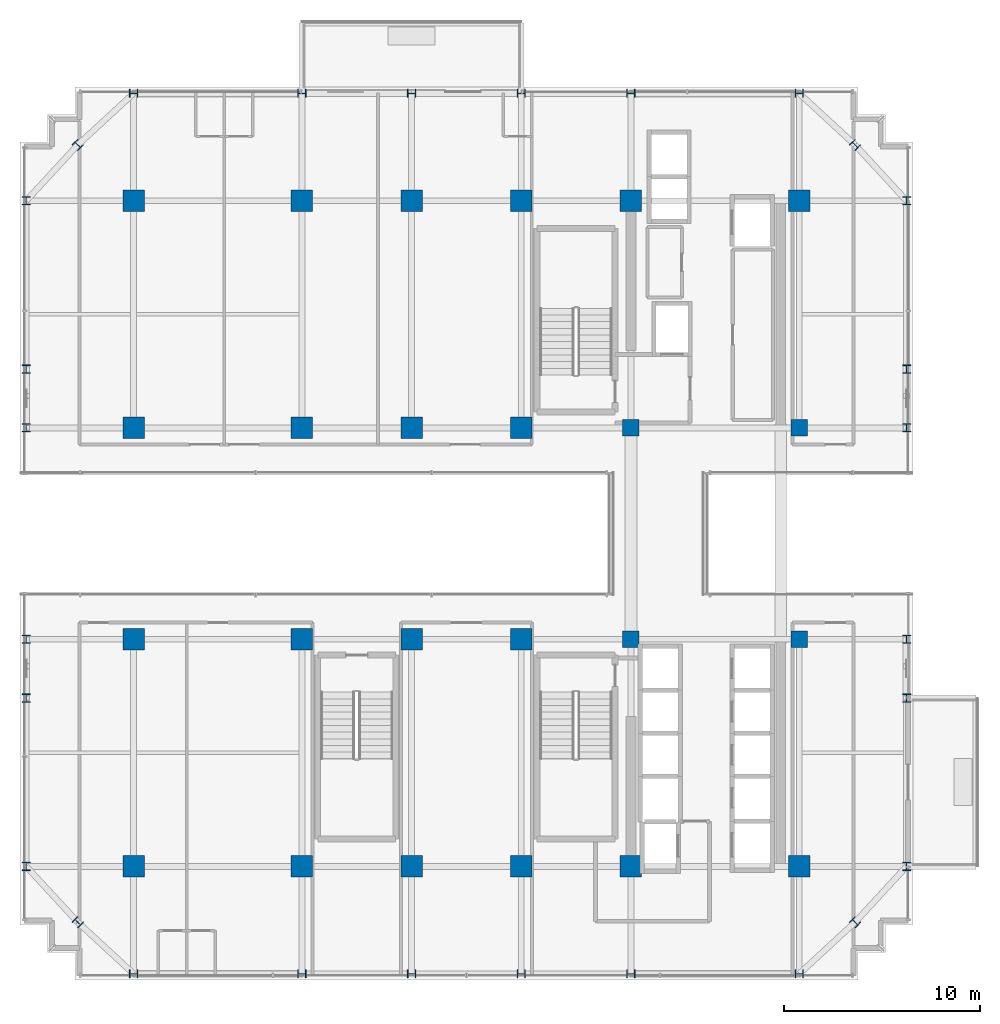
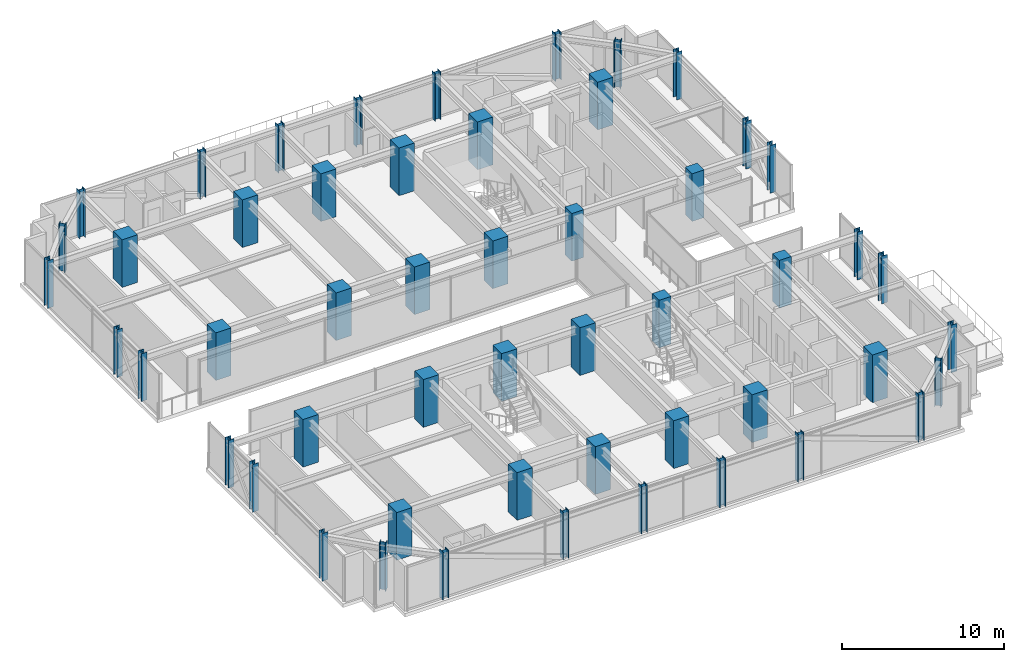
# One storey, part 1 of 41: 52 columns.
"""IFC4 building model written with IfcOpenShell, lengths in metres."""

from ifc_helpers import new_model, si_unit, direction, frame, origin, origin_2d, place, context, subcontext, project, spatial, rectangle, i_section, extrude, source, transform, mapped, material, material_profile, profile_set, type_object, element, save


model = new_model("IFC4")

# Units and contexts
model_context = context("Model", 3, precision=1e-05, world=origin(), true_north=direction((0.0, 1.0)))
body_context = subcontext(model_context, "Body", "Model", "MODEL_VIEW")
ifc_project = project(units=[si_unit("LENGTHUNIT", "METRE"), si_unit("AREAUNIT", "SQUARE_METRE"), si_unit("VOLUMEUNIT", "CUBIC_METRE"), si_unit("PLANEANGLEUNIT", "RADIAN"), si_unit("MASSUNIT", "GRAM", prefix="KILO")], contexts=[model_context])

# Site, building, storey
site_placement = place(None, origin())
site = spatial("IfcSite", under=ifc_project, at=site_placement, CompositionType="ELEMENT")
building_placement = place(site_placement, origin())
building = spatial("IfcBuilding", under=site, at=building_placement, Name="Nahalor Promenade Grand Hotel", CompositionType="ELEMENT")
storey_placement = place(building_placement, frame((0.0, 0.0, 159.949951171875)))
storey = spatial("IfcBuildingStorey", under=building, at=storey_placement, Name="L40", CompositionType="ELEMENT", Elevation=159.949951171875)

# Columns
ifc_material_1 = material(Name="Concrete B-70 (C60/75)", Category="concrete")
ifc_material_profile_1 = material_profile(ifc_material_1, rectangle(XDim=0.85, YDim=0.85, at=origin_2d()), Name="RC 850x850")
ifc_profile_set_1 = profile_set([ifc_material_profile_1], Name="Concrete B-70 (C60/75)")
column_type_1 = type_object("IfcColumnType", Name="Col-Pilaster-850", PredefinedType="PILASTER", material=ifc_profile_set_1)
shared_shape_1 = source(origin(), body_context, "Body", "SweptSolid", [
    extrude(rectangle(XDim=0.85, YDim=0.85, at=origin_2d()), origin(), (0.0, 0.0, 1.0), 3.60498046875),
])
for number, where, z_axis, x_axis, name in (
    (1, (8.39990234375, -5.39990234375, 0.0), (0.0, 0.0, 1.0), (1.0, 0.0, 0.0), "COL-L40-I41"),
    (2, (8.39990234375, 5.39990234375, 0.0), (0.0, 0.0, 1.0), (1.0, 0.0, 0.0), "COL-L40-I42"),
    (3, (17.0, -5.39990234375, 0.0), (0.0, 0.0, 1.0), (1.0, 0.0, 0.0), "COL-L40-I51"),
    (4, (17.0, 5.39990234375, 0.0), (0.0, 0.0, 1.0), (1.0, 0.0, 0.0), "COL-L40-I52"),
):
    element("IfcColumn", number, at=place(storey_placement, frame(where, z_axis=z_axis, x_axis=x_axis)), inside=storey, type_object=column_type_1, Name=name, PredefinedType="PILASTER", context=body_context, shape_type="MappedRepresentation", body=[
        mapped(shared_shape_1, transform((0.0, 0.0, 0.0), scale=1.0)),
    ])
ifc_material_2 = material(Name="Concrete B-60 (C50/60)", Category="concrete")
ifc_material_profile_2 = material_profile(ifc_material_2, rectangle(XDim=1.1, YDim=1.1, at=origin_2d()), Name="RC 1100x1100")
ifc_profile_set_2 = profile_set([ifc_material_profile_2], Name="Concrete B-60 (C50/60)")
column_type_2 = type_object("IfcColumnType", Name="Col-RC-1100", PredefinedType="COLUMN", material=ifc_profile_set_2)
shared_shape_2 = source(origin(), body_context, "Body", "SweptSolid", [
    extrude(rectangle(XDim=1.1, YDim=1.1, at=origin_2d()), origin(), (0.0, 0.0, 1.0), 3.60498046875),
])
for number, where, z_axis, x_axis, name in (
    (5, (-17.0, -17.0, 0.0), (0.0, 0.0, 1.0), (1.0, 0.0, 0.0), "COL-L40-I00"),
    (6, (-17.0, -5.39990234375, 0.0), (0.0, 0.0, 1.0), (1.0, 0.0, 0.0), "COL-L40-I01"),
    (7, (-17.0, 5.39990234375, 0.0), (0.0, 0.0, 1.0), (1.0, 0.0, 0.0), "COL-L40-I02"),
    (8, (-17.0, 17.0, 0.0), (0.0, 0.0, 1.0), (1.0, 0.0, 0.0), "COL-L40-I03"),
    (9, (-8.39990234375, -17.0, 0.0), (0.0, 0.0, 1.0), (1.0, 0.0, 0.0), "COL-L40-I10"),
    (10, (-8.39990234375, -5.39990234375, 0.0), (0.0, 0.0, 1.0), (1.0, 0.0, 0.0), "COL-L40-I11"),
    (11, (-8.39990234375, 5.39990234375, 0.0), (0.0, 0.0, 1.0), (1.0, 0.0, 0.0), "COL-L40-I12"),
    (12, (-8.39990234375, 17.0, 0.0), (0.0, 0.0, 1.0), (1.0, 0.0, 0.0), "COL-L40-I13"),
    (13, (-2.800048828125, -17.0, 0.0), (0.0, 0.0, 1.0), (1.0, 0.0, 0.0), "COL-L40-I20"),
    (14, (-2.800048828125, -5.39990234375, 0.0), (0.0, 0.0, 1.0), (1.0, 0.0, 0.0), "COL-L40-I21"),
    (15, (-2.800048828125, 5.39990234375, 0.0), (0.0, 0.0, 1.0), (1.0, 0.0, 0.0), "COL-L40-I22"),
    (16, (-2.800048828125, 17.0, 0.0), (0.0, 0.0, 1.0), (1.0, 0.0, 0.0), "COL-L40-I23"),
    (17, (2.800048828125, -17.0, 0.0), (0.0, 0.0, 1.0), (1.0, 0.0, 0.0), "COL-L40-I30"),
    (18, (2.800048828125, -5.39990234375, 0.0), (0.0, 0.0, 1.0), (1.0, 0.0, 0.0), "COL-L40-I31"),
    (19, (2.800048828125, 5.39990234375, 0.0), (0.0, 0.0, 1.0), (1.0, 0.0, 0.0), "COL-L40-I32"),
    (20, (2.800048828125, 17.0, 0.0), (0.0, 0.0, 1.0), (1.0, 0.0, 0.0), "COL-L40-I33"),
    (21, (8.39990234375, -17.0, 0.0), (0.0, 0.0, 1.0), (1.0, 0.0, 0.0), "COL-L40-I40"),
    (22, (8.39990234375, 17.0, 0.0), (0.0, 0.0, 1.0), (1.0, 0.0, 0.0), "COL-L40-I43"),
    (23, (17.0, -17.0, 0.0), (0.0, 0.0, 1.0), (1.0, 0.0, 0.0), "COL-L40-I50"),
    (24, (17.0, 17.0, 0.0), (0.0, 0.0, 1.0), (1.0, 0.0, 0.0), "COL-L40-I53"),
):
    element("IfcColumn", number, at=place(storey_placement, frame(where, z_axis=z_axis, x_axis=x_axis)), inside=storey, type_object=column_type_2, Name=name, PredefinedType="COLUMN", context=body_context, shape_type="MappedRepresentation", body=[
        mapped(shared_shape_2, transform((0.0, 0.0, 0.0), scale=1.0)),
    ])
ifc_material_3 = material(Name="Steel S355J2", Category="steel")
ifc_material_profile_3 = material_profile(ifc_material_3, i_section(OverallWidth=0.406, OverallDepth=0.422, WebThickness=0.019, FlangeThickness=0.0305, at=origin_2d()), Name="HD 400x382")
ifc_profile_set_3 = profile_set([ifc_material_profile_3], Name="Steel S355J2")
column_type_3 = type_object("IfcColumnType", Name="Col-Steel-HD382", PredefinedType="COLUMN", material=ifc_profile_set_3)
shared_shape_3 = source(origin(), body_context, "Body", "SweptSolid", [
    extrude(i_section(OverallWidth=0.406, OverallDepth=0.422, WebThickness=0.019, FlangeThickness=0.0305, at=origin_2d()), origin(), (0.0, 0.0, 1.0), 3.60498046875),
])
for number, where, z_axis, x_axis, name in (
    (25, (-22.47998046875, -17.0, 0.0), (0.0, 0.0, 1.0), (1.0, 0.0, 0.0), "COL-L40-PW-W0"),
    (26, (22.47998046875, -17.0, 0.0), (0.0, 0.0, 1.0), (1.0, 0.0, 0.0), "COL-L40-PW-E0"),
    (27, (-22.47998046875, -8.39990234375, 0.0), (0.0, 0.0, 1.0), (1.0, 0.0, 0.0), "COL-L40-PW-W1"),
    (28, (22.47998046875, -8.39990234375, 0.0), (0.0, 0.0, 1.0), (1.0, 0.0, 0.0), "COL-L40-PW-E1"),
    (29, (-22.47998046875, -5.39990234375, 0.0), (0.0, 0.0, 1.0), (1.0, 0.0, 0.0), "COL-L40-PW-W2"),
    (30, (22.47998046875, -5.39990234375, 0.0), (0.0, 0.0, 1.0), (1.0, 0.0, 0.0), "COL-L40-PW-E2"),
    (31, (-22.47998046875, 5.39990234375, 0.0), (0.0, 0.0, 1.0), (1.0, 0.0, 0.0), "COL-L40-PW-W3"),
    (32, (22.47998046875, 5.39990234375, 0.0), (0.0, 0.0, 1.0), (1.0, 0.0, 0.0), "COL-L40-PW-E3"),
    (33, (-22.47998046875, 8.39990234375, 0.0), (0.0, 0.0, 1.0), (1.0, 0.0, 0.0), "COL-L40-PW-W4"),
    (34, (22.47998046875, 8.39990234375, 0.0), (0.0, 0.0, 1.0), (1.0, 0.0, 0.0), "COL-L40-PW-E4"),
    (35, (-22.47998046875, 17.0, 0.0), (0.0, 0.0, 1.0), (1.0, 0.0, 0.0), "COL-L40-PW-W5"),
    (36, (22.47998046875, 17.0, 0.0), (0.0, 0.0, 1.0), (1.0, 0.0, 0.0), "COL-L40-PW-E5"),
    (37, (-17.0, -22.47998046875, 0.0), (0.0, 0.0, 1.0), (0.0, 1.0, 0.0), "COL-L40-PN-S0"),
    (38, (-17.0, 22.47998046875, 0.0), (0.0, 0.0, 1.0), (0.0, 1.0, 0.0), "COL-L40-PN-N0"),
    (39, (-8.39990234375, -22.47998046875, 0.0), (0.0, 0.0, 1.0), (0.0, 1.0, 0.0), "COL-L40-PN-S1"),
    (40, (-8.39990234375, 22.47998046875, 0.0), (0.0, 0.0, 1.0), (0.0, 1.0, 0.0), "COL-L40-PN-N1"),
    (41, (-2.800048828125, -22.47998046875, 0.0), (0.0, 0.0, 1.0), (0.0, 1.0, 0.0), "COL-L40-PN-S2"),
    (42, (-2.800048828125, 22.47998046875, 0.0), (0.0, 0.0, 1.0), (0.0, 1.0, 0.0), "COL-L40-PN-N2"),
    (43, (2.800048828125, -22.47998046875, 0.0), (0.0, 0.0, 1.0), (0.0, 1.0, 0.0), "COL-L40-PN-S3"),
    (44, (2.800048828125, 22.47998046875, 0.0), (0.0, 0.0, 1.0), (0.0, 1.0, 0.0), "COL-L40-PN-N3"),
    (45, (8.39990234375, -22.47998046875, 0.0), (0.0, 0.0, 1.0), (0.0, 1.0, 0.0), "COL-L40-PN-S4"),
    (46, (8.39990234375, 22.47998046875, 0.0), (0.0, 0.0, 1.0), (0.0, 1.0, 0.0), "COL-L40-PN-N4"),
    (47, (17.0, -22.47998046875, 0.0), (0.0, 0.0, 1.0), (0.0, 1.0, 0.0), "COL-L40-PN-S5"),
    (48, (17.0, 22.47998046875, 0.0), (0.0, 0.0, 1.0), (0.0, 1.0, 0.0), "COL-L40-PN-N5"),
    (49, (-19.85009765625, -19.85009765625, 0.0), (0.0, 0.0, 1.0), (0.707106781187, 0.707106781187, 0.0), "COL-L40-CRN-SW"),
    (50, (-19.85009765625, 19.85009765625, 0.0), (0.0, 0.0, 1.0), (0.707106781187, 0.707106781187, 0.0), "COL-L40-CRN-NW"),
    (51, (19.85009765625, -19.85009765625, 0.0), (0.0, 0.0, 1.0), (0.707106781187, 0.707106781187, 0.0), "COL-L40-CRN-SE"),
    (52, (19.85009765625, 19.85009765625, 0.0), (0.0, 0.0, 1.0), (0.707106781187, 0.707106781187, 0.0), "COL-L40-CRN-NE"),
):
    element("IfcColumn", number, at=place(storey_placement, frame(where, z_axis=z_axis, x_axis=x_axis)), inside=storey, type_object=column_type_3, Name=name, PredefinedType="COLUMN", context=body_context, shape_type="MappedRepresentation", body=[
        mapped(shared_shape_3, transform((0.0, 0.0, 0.0), scale=1.0)),
    ])

save(model, "model.ifc")
